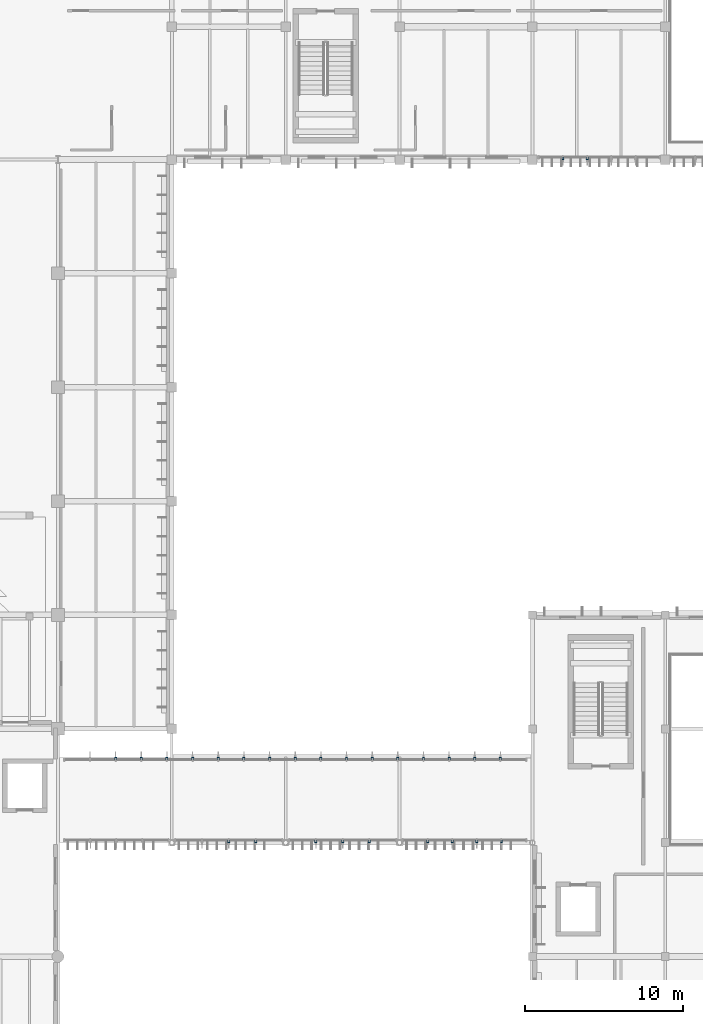
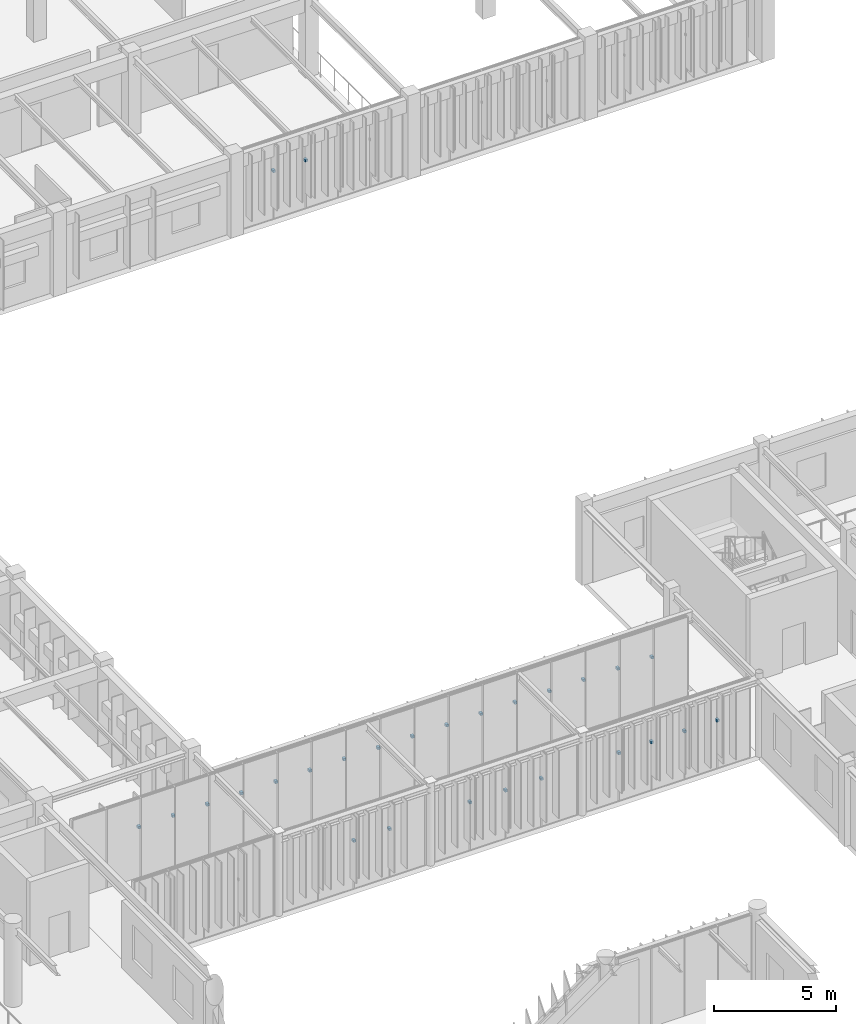
# One storey, part 56 of 122: 27 discrete accessories.
"""IFC4 building model written with IfcOpenShell, lengths in metres."""

from ifc_helpers import new_model, si_unit, direction, frame, origin, origin_2d, place, context, subcontext, project, spatial, rectangle, extrude, material, type_object, element, save


model = new_model("IFC4")

# Units and contexts
model_context = context("Model", 3, precision=1e-05, world=origin(), true_north=direction((0.0, 1.0)))
body_context = subcontext(model_context, "Body", "Model", "MODEL_VIEW")
ifc_project = project(units=[si_unit("LENGTHUNIT", "METRE"), si_unit("AREAUNIT", "SQUARE_METRE"), si_unit("VOLUMEUNIT", "CUBIC_METRE"), si_unit("PLANEANGLEUNIT", "RADIAN"), si_unit("MASSUNIT", "GRAM", prefix="KILO")], contexts=[model_context])

# Site, building, storey
site_placement = place(None, origin())
site = spatial("IfcSite", under=ifc_project, at=site_placement, CompositionType="ELEMENT")
building_placement = place(site_placement, origin())
building = spatial("IfcBuilding", under=site, at=building_placement, Name="Tazoul Stagehouse", CompositionType="ELEMENT")
storey_placement = place(building_placement, frame((0.0, 0.0, 4.800048828125)))
storey = spatial("IfcBuildingStorey", under=building, at=storey_placement, Name="L01", CompositionType="ELEMENT", Elevation=4.800048828125)

# Discrete accessories
ifc_material = material(Name="Austenitic Stainless Steel EN 1.4401", Category="steel")
discrete_accessory_type = type_object("IfcDiscreteAccessoryType", Name="Stainless Steel Louvre Support Cleat Bracket", PredefinedType="BRACKET", material=ifc_material)
for number, where, z_axis, x_axis, name in (
    (1, (106.199951171875, 44.669921875, 2.3486328125), (0.0, 0.0, 1.0), (1.0, 0.0, 0.0), "Cleat Bracket BRK-01 CW-ELNK-S-L01-B2-BRK02"),
    (2, (107.89404296875, 44.669921875, 2.3486328125), (0.0, 0.0, 1.0), (1.0, 0.0, 0.0), "Cleat Bracket BRK-01 CW-ELNK-S-L01-B2-BRK03"),
    (3, (111.705810546875, 44.669921875, 2.3486328125), (0.0, 0.0, 1.0), (1.0, 0.0, 0.0), "Cleat Bracket BRK-01 CW-ELNK-S-L01-B3-BRK01"),
    (4, (113.39990234375, 44.669921875, 2.3486328125), (0.0, 0.0, 1.0), (1.0, 0.0, 0.0), "Cleat Bracket BRK-01 CW-ELNK-S-L01-B3-BRK02"),
    (5, (115.093994140625, 44.669921875, 2.3486328125), (0.0, 0.0, 1.0), (1.0, 0.0, 0.0), "Cleat Bracket BRK-01 CW-ELNK-S-L01-B3-BRK03"),
    (6, (118.76953125, 44.669921875, 2.3486328125), (0.0, 0.0, 1.0), (1.0, 0.0, 0.0), "Cleat Bracket BRK-01 CW-ELNK-S-L01-B4-BRK01"),
    (7, (120.3271484375, 44.669921875, 2.3486328125), (0.0, 0.0, 1.0), (1.0, 0.0, 0.0), "Cleat Bracket BRK-01 CW-ELNK-S-L01-B4-BRK02"),
    (8, (121.884765625, 44.669921875, 2.3486328125), (0.0, 0.0, 1.0), (1.0, 0.0, 0.0), "Cleat Bracket BRK-01 CW-ELNK-S-L01-B4-BRK03"),
    (9, (123.4423828125, 44.669921875, 2.3486328125), (0.0, 0.0, 1.0), (1.0, 0.0, 0.0), "Cleat Bracket BRK-01 CW-ELNK-S-L01-B4-BRK04"),
    (10, (99.04443359375, 49.929931640625, 2.3486328125), (0.0, 0.0, 1.0), (1.0, 0.0, 0.0), "Cleat Bracket BRK-01 CW-ELNK-N-L01-BRK02"),
    (11, (100.666748046875, 49.929931640625, 2.3486328125), (0.0, 0.0, 1.0), (1.0, 0.0, 0.0), "Cleat Bracket BRK-01 CW-ELNK-N-L01-BRK03"),
    (12, (102.288818359375, 49.929931640625, 2.3486328125), (0.0, 0.0, 1.0), (1.0, 0.0, 0.0), "Cleat Bracket BRK-01 CW-ELNK-N-L01-BRK04"),
    (13, (103.9111328125, 49.929931640625, 2.3486328125), (0.0, 0.0, 1.0), (1.0, 0.0, 0.0), "Cleat Bracket BRK-01 CW-ELNK-N-L01-BRK05"),
    (14, (105.533203125, 49.929931640625, 2.3486328125), (0.0, 0.0, 1.0), (1.0, 0.0, 0.0), "Cleat Bracket BRK-01 CW-ELNK-N-L01-BRK06"),
    (15, (107.155517578125, 49.929931640625, 2.3486328125), (0.0, 0.0, 1.0), (1.0, 0.0, 0.0), "Cleat Bracket BRK-01 CW-ELNK-N-L01-BRK07"),
    (16, (108.77783203125, 49.929931640625, 2.3486328125), (0.0, 0.0, 1.0), (1.0, 0.0, 0.0), "Cleat Bracket BRK-01 CW-ELNK-N-L01-BRK08"),
    (17, (110.39990234375, 49.929931640625, 2.3486328125), (0.0, 0.0, 1.0), (1.0, 0.0, 0.0), "Cleat Bracket BRK-01 CW-ELNK-N-L01-BRK09"),
    (18, (112.022216796875, 49.929931640625, 2.3486328125), (0.0, 0.0, 1.0), (1.0, 0.0, 0.0), "Cleat Bracket BRK-01 CW-ELNK-N-L01-BRK10"),
    (19, (113.644287109375, 49.929931640625, 2.3486328125), (0.0, 0.0, 1.0), (1.0, 0.0, 0.0), "Cleat Bracket BRK-01 CW-ELNK-N-L01-BRK11"),
    (20, (115.2666015625, 49.929931640625, 2.3486328125), (0.0, 0.0, 1.0), (1.0, 0.0, 0.0), "Cleat Bracket BRK-01 CW-ELNK-N-L01-BRK12"),
    (21, (116.888916015625, 49.929931640625, 2.3486328125), (0.0, 0.0, 1.0), (1.0, 0.0, 0.0), "Cleat Bracket BRK-01 CW-ELNK-N-L01-BRK13"),
    (22, (118.510986328125, 49.929931640625, 2.3486328125), (0.0, 0.0, 1.0), (1.0, 0.0, 0.0), "Cleat Bracket BRK-01 CW-ELNK-N-L01-BRK14"),
    (23, (120.13330078125, 49.929931640625, 2.3486328125), (0.0, 0.0, 1.0), (1.0, 0.0, 0.0), "Cleat Bracket BRK-01 CW-ELNK-N-L01-BRK15"),
    (24, (121.755615234375, 49.929931640625, 2.3486328125), (0.0, 0.0, 1.0), (1.0, 0.0, 0.0), "Cleat Bracket BRK-01 CW-ELNK-N-L01-BRK16"),
    (25, (123.377685546875, 49.929931640625, 2.3486328125), (0.0, 0.0, 1.0), (1.0, 0.0, 0.0), "Cleat Bracket BRK-01 CW-ELNK-N-L01-BRK17"),
    (26, (127.330078125, 87.8701171875, 2.3486328125), (0.0, 0.0, 1.0), (1.0, 0.0, 0.0), "Cleat Bracket BRK-01 CW-V3-S2-L01-B1-BRK01"),
    (27, (128.860107421875, 87.8701171875, 2.3486328125), (0.0, 0.0, 1.0), (1.0, 0.0, 0.0), "Cleat Bracket BRK-01 CW-V3-S2-L01-B1-BRK02"),
):
    element("IfcDiscreteAccessory", number, at=place(storey_placement, frame(where, z_axis=z_axis, x_axis=x_axis)), inside=storey, type_object=discrete_accessory_type, Name=name, PredefinedType="BRACKET", context=body_context, shape_type="SweptSolid", body=[
        extrude(rectangle(XDim=0.1201171875, YDim=0.159912109375, at=origin_2d()), origin(), (0.0, 0.0, 1.0), 0.1201171875),
    ])

save(model, "model.ifc")
